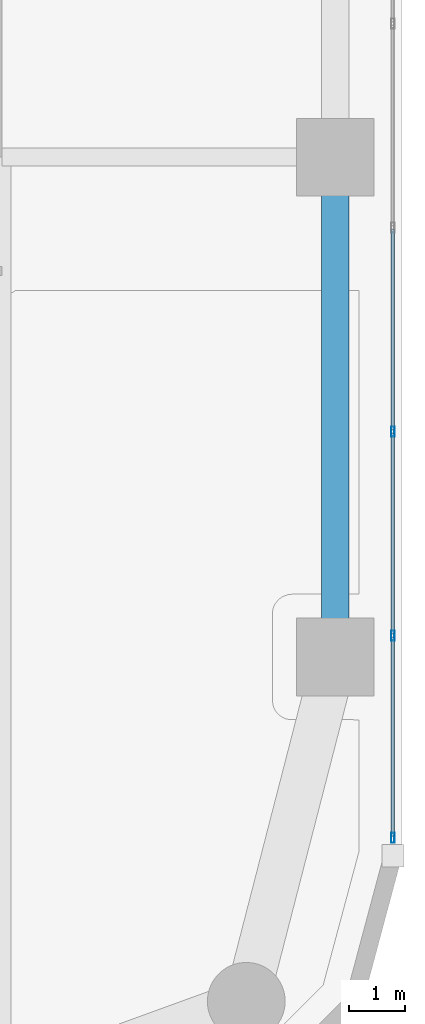
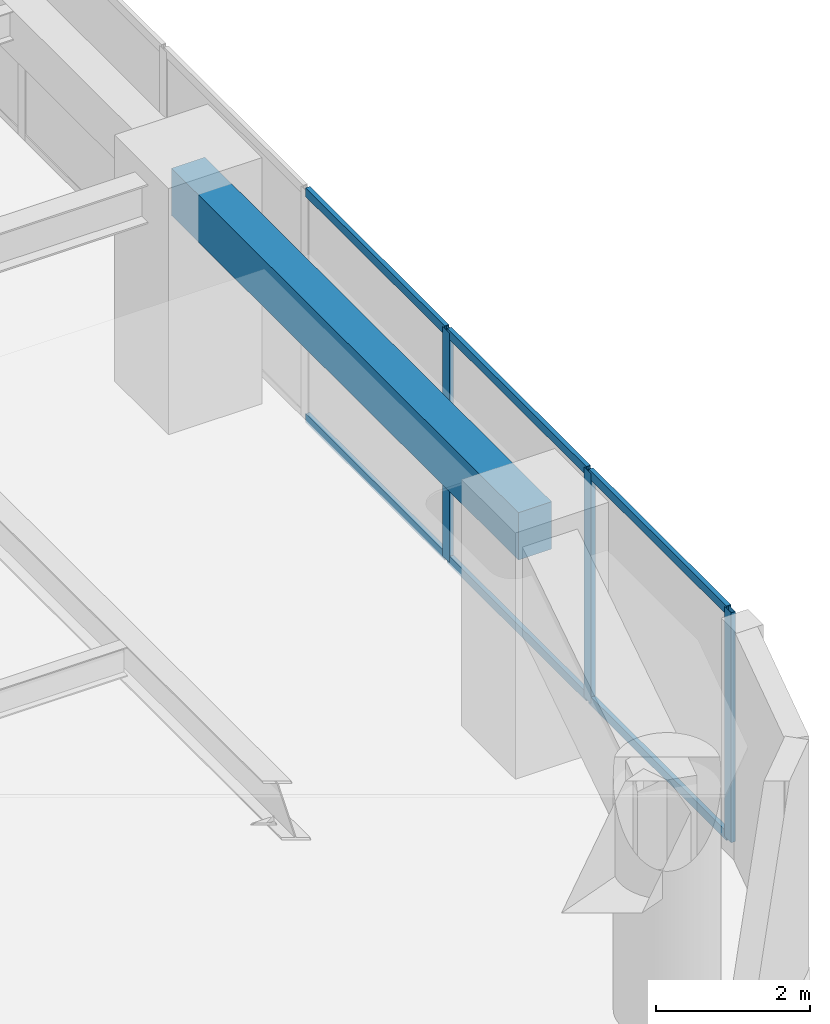
# One storey, part 4 of 24: 9 members, 1 beam, 1 element without a shape of its own.
"""IFC4 building model written with IfcOpenShell, lengths in metres."""

from ifc_helpers import new_model, si_unit, direction, frame, origin, origin_2d, place, context, subcontext, project, spatial, rectangle, hollow_rectangle, extrude, material, layer, layer_set, material_profile, profile_set, type_object, element, aggregate, save


model = new_model("IFC4")

# Units and contexts
model_context = context("Model", 3, precision=1e-05, world=origin(), true_north=direction((0.0, 1.0)))
body_context = subcontext(model_context, "Body", "Model", "MODEL_VIEW")
ifc_project = project(units=[si_unit("LENGTHUNIT", "METRE"), si_unit("AREAUNIT", "SQUARE_METRE"), si_unit("VOLUMEUNIT", "CUBIC_METRE"), si_unit("PLANEANGLEUNIT", "RADIAN"), si_unit("MASSUNIT", "GRAM", prefix="KILO")], contexts=[model_context])

# Site, building, storey
site_placement = place(None, origin())
site = spatial("IfcSite", under=ifc_project, at=site_placement, CompositionType="ELEMENT")
building_placement = place(site_placement, origin())
building = spatial("IfcBuilding", under=site, at=building_placement, Name="Kiyonajd Concourse Tower", CompositionType="ELEMENT")
storey_placement = place(building_placement, frame((0.0, 0.0, 133.800048828125)))
storey = spatial("IfcBuildingStorey", under=building, at=storey_placement, Name="L34", CompositionType="ELEMENT", Elevation=133.800048828125)

# Beam
ifc_material_1 = material(Name="Precast concrete C50/60", Category="concrete")
ifc_material_profile_1 = material_profile(ifc_material_1, rectangle(XDim=0.5, YDim=0.75, at=origin_2d()), Name="RCBM-500x750")
ifc_profile_set_1 = profile_set([ifc_material_profile_1], Name="Precast concrete C50/60")
beam_type = type_object("IfcBeamType", Name="BM-SPAN-RC", PredefinedType="SPANDREL", material=ifc_profile_set_1)
beam_placement = place(storey_placement, frame((69.60009765625, 18.60009765625, 3.264892578125), z_axis=(0.0, 1.0, 0.0), x_axis=(-1.0, 0.0, 0.0)))
element("IfcBeam", 1, at=beam_placement, inside=storey, type_object=beam_type, Name="L34 Perimeter Bundled Tube Spandrel", PredefinedType="SPANDREL", context=body_context, shape_type="SweptSolid", body=[
    extrude(rectangle(XDim=0.5, YDim=0.75, at=origin_2d()), origin(), (0.0, 0.0, 1.0), 9.0),
])

# Curtain wall, members
ifc_material_2 = material(Name="Thermally Broken Anodised Aluminium", Category="aluminium")
ifc_layer = layer(ifc_material_2, 0.179931640625)
ifc_layer_set = layer_set([ifc_layer], Name="Thermally Broken Anodised Aluminium")
curtain_wall_type = type_object("IfcCurtainWallType", Name="CW-SYS-03", PredefinedType="NOTDEFINED", material=ifc_layer_set)
curtain_wall_placement = place(storey_placement, origin())
curtain_wall = element("IfcCurtainWall", 2, at=curtain_wall_placement, inside=storey, type_object=curtain_wall_type, Name="L34 Unitised Curtain Wall CW3", PredefinedType="NOTDEFINED")
ifc_material_profile_2 = material_profile(ifc_material_2, hollow_rectangle(XDim=0.06494140625, YDim=0.179931640625, WallThickness=0.00390625, at=origin_2d()), Name="MULL-65x180")
ifc_profile_set_2 = profile_set([ifc_material_profile_2], Name="Thermally Broken Anodised Aluminium")
member_type_1 = type_object("IfcMemberType", Name="MB-CW-MULL1", PredefinedType="MULLION", material=ifc_profile_set_2)
member_1_placement = place(storey_placement, frame((70.639892578125, 22.657470703125, 0.0), z_axis=(0.0, 0.0, 1.0), x_axis=(1.0, 0.0, 0.0)))
member_1 = element("IfcMember", 3, at=member_1_placement, type_object=member_type_1, Name="CW3 mullion 5", PredefinedType="MULLION", context=body_context, shape_type="SweptSolid", body=[
    extrude(hollow_rectangle(XDim=0.06494140625, YDim=0.179931640625, WallThickness=0.00390625, at=origin_2d()), origin(), (0.0, 0.0, 1.0), 3.639892578125),
])
member_2_placement = place(storey_placement, frame((70.639892578125, 18.984130859375, 0.0), z_axis=(0.0, 0.0, 1.0), x_axis=(1.0, 0.0, 0.0)))
member_2 = element("IfcMember", 4, at=member_2_placement, type_object=member_type_1, Name="CW3 mullion 6", PredefinedType="MULLION", context=body_context, shape_type="SweptSolid", body=[
    extrude(hollow_rectangle(XDim=0.06494140625, YDim=0.179931640625, WallThickness=0.00390625, at=origin_2d()), origin(), (0.0, 0.0, 1.0), 3.639892578125),
])
member_3_placement = place(storey_placement, frame((70.639892578125, 15.343505859375, 0.0), z_axis=(0.0, 0.0, 1.0), x_axis=(1.0, 0.0, 0.0)))
member_3 = element("IfcMember", 5, at=member_3_placement, type_object=member_type_1, Name="CW3 mullion 7", PredefinedType="MULLION", context=body_context, shape_type="SweptSolid", body=[
    extrude(hollow_rectangle(XDim=0.06494140625, YDim=0.179931640625, WallThickness=0.00390625, at=origin_2d()), origin(), (0.0, 0.0, 1.0), 3.639892578125),
])
ifc_material_profile_3 = material_profile(ifc_material_2, hollow_rectangle(XDim=0.06494140625, YDim=0.139892578125, WallThickness=0.00390625, at=origin_2d()), Name="TRAN-65x140")
ifc_profile_set_3 = profile_set([ifc_material_profile_3], Name="Thermally Broken Anodised Aluminium")
member_type_2 = type_object("IfcMemberType", Name="MB-CW-TRAN1", PredefinedType="USERDEFINED", material=ifc_profile_set_3)
member_4_placement = place(storey_placement, frame((70.639892578125, 26.298095703125, 0.032470703125), z_axis=(0.0, -1.0, 0.0), x_axis=(1.0, 0.0, 0.0)))
member_4 = element("IfcMember", 6, at=member_4_placement, type_object=member_type_2, Name="CW3 transom 4.1", ObjectType="TRANSOM", PredefinedType="USERDEFINED", context=body_context, shape_type="SweptSolid", body=[
    extrude(hollow_rectangle(XDim=0.06494140625, YDim=0.139892578125, WallThickness=0.00390625, at=origin_2d()), origin(), (0.0, 0.0, 1.0), 3.608154296875),
])
member_5_placement = place(storey_placement, frame((70.639892578125, 26.298095703125, 3.607421875), z_axis=(0.0, -1.0, 0.0), x_axis=(1.0, 0.0, 0.0)))
member_5 = element("IfcMember", 7, at=member_5_placement, type_object=member_type_2, Name="CW3 transom 4.2", ObjectType="TRANSOM", PredefinedType="USERDEFINED", context=body_context, shape_type="SweptSolid", body=[
    extrude(hollow_rectangle(XDim=0.06494140625, YDim=0.139892578125, WallThickness=0.00390625, at=origin_2d()), origin(), (0.0, 0.0, 1.0), 3.608154296875),
])
member_6_placement = place(storey_placement, frame((70.639892578125, 22.625, 0.032470703125), z_axis=(0.0, -1.0, 0.0), x_axis=(1.0, 0.0, 0.0)))
member_6 = element("IfcMember", 8, at=member_6_placement, type_object=member_type_2, Name="CW3 transom 5.1", ObjectType="TRANSOM", PredefinedType="USERDEFINED", context=body_context, shape_type="SweptSolid", body=[
    extrude(hollow_rectangle(XDim=0.06494140625, YDim=0.139892578125, WallThickness=0.00390625, at=origin_2d()), origin(), (0.0, 0.0, 1.0), 3.608154296875),
])
member_7_placement = place(storey_placement, frame((70.639892578125, 22.625, 3.607421875), z_axis=(0.0, -1.0, 0.0), x_axis=(1.0, 0.0, 0.0)))
member_7 = element("IfcMember", 9, at=member_7_placement, type_object=member_type_2, Name="CW3 transom 5.2", ObjectType="TRANSOM", PredefinedType="USERDEFINED", context=body_context, shape_type="SweptSolid", body=[
    extrude(hollow_rectangle(XDim=0.06494140625, YDim=0.139892578125, WallThickness=0.00390625, at=origin_2d()), origin(), (0.0, 0.0, 1.0), 3.608154296875),
])
member_8_placement = place(storey_placement, frame((70.639892578125, 18.95166015625, 0.032470703125), z_axis=(0.0, -1.0, 0.0), x_axis=(1.0, 0.0, 0.0)))
member_8 = element("IfcMember", 10, at=member_8_placement, type_object=member_type_2, Name="CW3 transom 6.1", ObjectType="TRANSOM", PredefinedType="USERDEFINED", context=body_context, shape_type="SweptSolid", body=[
    extrude(hollow_rectangle(XDim=0.06494140625, YDim=0.139892578125, WallThickness=0.00390625, at=origin_2d()), origin(), (0.0, 0.0, 1.0), 3.575439453125),
])
member_9_placement = place(storey_placement, frame((70.639892578125, 18.95166015625, 3.607421875), z_axis=(0.0, -1.0, 0.0), x_axis=(1.0, 0.0, 0.0)))
member_9 = element("IfcMember", 11, at=member_9_placement, type_object=member_type_2, Name="CW3 transom 6.2", ObjectType="TRANSOM", PredefinedType="USERDEFINED", context=body_context, shape_type="SweptSolid", body=[
    extrude(hollow_rectangle(XDim=0.06494140625, YDim=0.139892578125, WallThickness=0.00390625, at=origin_2d()), origin(), (0.0, 0.0, 1.0), 3.575439453125),
])
aggregate(curtain_wall, [member_1, member_2, member_3, member_4, member_5, member_6, member_7, member_8, member_9])

save(model, "model.ifc")
